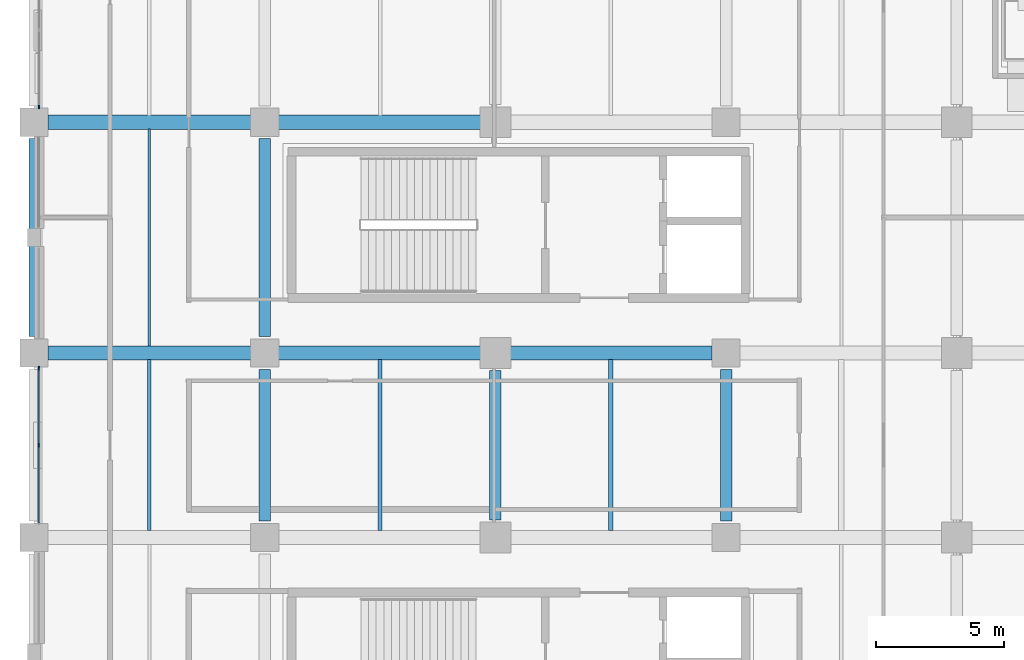
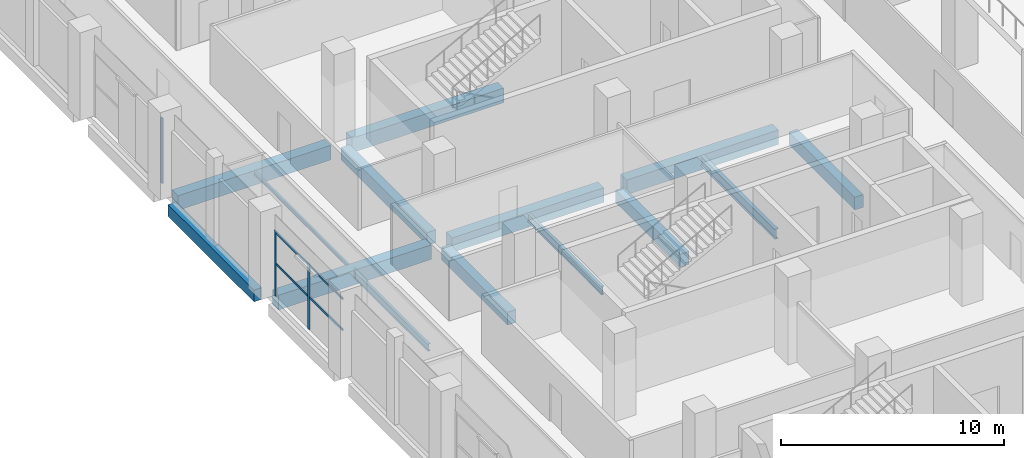
# One storey, part 14 of 100: 14 beams, 5 members, 2 elements without a shape of their own.
"""IFC4 building model written with IfcOpenShell, lengths in metres."""

from ifc_helpers import new_model, si_unit, direction, frame, origin, origin_2d, place, context, subcontext, project, spatial, rectangle, i_section, extrude, material, material_profile, profile_set, type_object, element, aggregate, save


model = new_model("IFC4")

# Units and contexts
model_context = context("Model", 3, precision=1e-05, world=origin(), true_north=direction((0.0, 1.0)))
body_context = subcontext(model_context, "Body", "Model", "MODEL_VIEW")
ifc_project = project(units=[si_unit("LENGTHUNIT", "METRE"), si_unit("AREAUNIT", "SQUARE_METRE"), si_unit("VOLUMEUNIT", "CUBIC_METRE"), si_unit("PLANEANGLEUNIT", "RADIAN"), si_unit("MASSUNIT", "GRAM", prefix="KILO"), si_unit("THERMODYNAMICTEMPERATUREUNIT", "KELVIN"), si_unit("POWERUNIT", "WATT")], contexts=[model_context])

# Site, building, storey
site_placement = place(None, origin())
site = spatial("IfcSite", under=ifc_project, at=site_placement, CompositionType="ELEMENT")
building_placement = place(site_placement, origin())
building = spatial("IfcBuilding", under=site, at=building_placement, Name="Sindhuravela Promenade Stadium", CompositionType="ELEMENT")
storey_placement = place(building_placement, frame((0.0, 0.0, 4.800048828125)))
storey = spatial("IfcBuildingStorey", under=building, at=storey_placement, Name="L01", CompositionType="ELEMENT", Elevation=4.800048828125)

# Curtain wall, members
ifc_material_1 = material(Name="Anodised architectural aluminium 6063-T6", Category="aluminium")
curtain_wall_type_1 = type_object("IfcCurtainWallType", Name="CW-MOD-4", PredefinedType="NOTDEFINED", material=ifc_material_1)
curtain_wall_1_placement = place(storey_placement, origin())
curtain_wall_1 = element("IfcCurtainWall", 1, at=curtain_wall_1_placement, inside=storey, type_object=curtain_wall_type_1, Name="Bronze curtain wall CW-WEST-L01-003", PredefinedType="NOTDEFINED")
ifc_material_profile_1 = material_profile(ifc_material_1, rectangle(XDim=0.06005859375, YDim=0.159912109375, at=origin_2d()), Name="ALU M60x160")
ifc_profile_set_1 = profile_set([ifc_material_profile_1], Name="Anodised architectural aluminium 6063-T6")
member_type_1 = type_object("IfcMemberType", Name="CW-MUL-4", PredefinedType="MULLION", material=ifc_profile_set_1)
member_1_placement = place(storey_placement, frame((0.199951171875, 81.0, 0.0), z_axis=(0.0, 0.0, 1.0), x_axis=(1.0, 0.0, 0.0)))
member_1 = element("IfcMember", 2, at=member_1_placement, type_object=member_type_1, Name="Curtain wall mullion CW-WEST-L01-003-M2", PredefinedType="MULLION", context=body_context, shape_type="SweptSolid", body=[
    extrude(rectangle(XDim=0.06005859375, YDim=0.159912109375, at=origin_2d()), origin(), (0.0, 0.0, 1.0), 3.579833984375),
])
member_2_placement = place(storey_placement, frame((0.199951171875, 84.0, 0.0), z_axis=(0.0, 0.0, 1.0), x_axis=(1.0, 0.0, 0.0)))
member_2 = element("IfcMember", 3, at=member_2_placement, type_object=member_type_1, Name="Curtain wall mullion CW-WEST-L01-003-M3", PredefinedType="MULLION", context=body_context, shape_type="SweptSolid", body=[
    extrude(rectangle(XDim=0.06005859375, YDim=0.159912109375, at=origin_2d()), origin(), (0.0, 0.0, 1.0), 3.579833984375),
])

# Curtain wall, member
curtain_wall_type_2 = type_object("IfcCurtainWallType", Name="CW-MOD-5", PredefinedType="NOTDEFINED", material=ifc_material_1)
curtain_wall_2_placement = place(storey_placement, origin())
curtain_wall_2 = element("IfcCurtainWall", 4, at=curtain_wall_2_placement, inside=storey, type_object=curtain_wall_type_2, Name="Bronze curtain wall CW-WEST-L01-004", PredefinedType="NOTDEFINED")
ifc_material_profile_2 = material_profile(ifc_material_1, rectangle(XDim=0.06005859375, YDim=0.139892578125, at=origin_2d()), Name="ALU M60x140")
ifc_profile_set_2 = profile_set([ifc_material_profile_2], Name="Anodised architectural aluminium 6063-T6")
member_type_2 = type_object("IfcMemberType", Name="CW-MUL-5", PredefinedType="MULLION", material=ifc_profile_set_2)
member_3_placement = place(storey_placement, frame((0.199951171875, 94.199951171875, 0.0), z_axis=(0.0, 0.0, 1.0), x_axis=(1.0, 0.0, 0.0)))
member_3 = element("IfcMember", 5, at=member_3_placement, type_object=member_type_2, Name="Curtain wall mullion CW-WEST-L01-004-M1", PredefinedType="MULLION", context=body_context, shape_type="SweptSolid", body=[
    extrude(rectangle(XDim=0.06005859375, YDim=0.139892578125, at=origin_2d()), origin(), (0.0, 0.0, 1.0), 3.579833984375),
])
aggregate(curtain_wall_2, [member_3])

# Member
ifc_material_profile_3 = material_profile(ifc_material_1, rectangle(XDim=0.06005859375, YDim=0.1201171875, at=origin_2d()), Name="ALU T60x120")
ifc_profile_set_3 = profile_set([ifc_material_profile_3], Name="Anodised architectural aluminium 6063-T6")
member_type_3 = type_object("IfcMemberType", Name="CW-TRN-4", PredefinedType="USERDEFINED", material=ifc_profile_set_3)
member_4_placement = place(storey_placement, frame((0.199951171875, 77.97509765625, 1.7900390625), z_axis=(0.0, 1.0, 0.0), x_axis=(-1.0, 0.0, 0.0)))
member_4 = element("IfcMember", 6, at=member_4_placement, type_object=member_type_3, Name="Curtain wall transom CW-WEST-L01-003-T1", ObjectType="TRANSOM", PredefinedType="USERDEFINED", context=body_context, shape_type="SweptSolid", body=[
    extrude(rectangle(XDim=0.06005859375, YDim=0.1201171875, at=origin_2d()), origin(), (0.0, 0.0, 1.0), 6.0498046875),
])

member_5_placement = place(storey_placement, frame((0.199951171875, 77.97509765625, 3.5), z_axis=(0.0, 1.0, 0.0), x_axis=(-1.0, 0.0, 0.0)))
member_5 = element("IfcMember", 7, at=member_5_placement, type_object=member_type_3, Name="Curtain wall transom CW-WEST-L01-003-T2", ObjectType="TRANSOM", PredefinedType="USERDEFINED", context=body_context, shape_type="SweptSolid", body=[
    extrude(rectangle(XDim=0.06005859375, YDim=0.1201171875, at=origin_2d()), origin(), (0.0, 0.0, 1.0), 6.0498046875),
])

aggregate(curtain_wall_1, [member_1, member_2, member_4, member_5])

# Beams
ifc_material_2 = material(Name="Concrete M40", Category="concrete")
ifc_material_profile_4 = material_profile(ifc_material_2, rectangle(XDim=0.39990234375, YDim=0.64990234375, at=origin_2d()), Name="RC 400x650")
ifc_profile_set_4 = profile_set([ifc_material_profile_4], Name="Concrete M40")
beam_type_1 = type_object("IfcBeamType", Name="RC-BM-400x650", PredefinedType="SPANDREL", material=ifc_profile_set_4)
beam_1_placement = place(storey_placement, frame((0.0, 85.239990234375, -0.625), z_axis=(0.0, 1.0, 0.0), x_axis=(-1.0, 0.0, 0.0)))
element("IfcBeam", 8, at=beam_1_placement, inside=storey, type_object=beam_type_1, Name="Primary beam SP01 WEST L01", PredefinedType="SPANDREL", context=body_context, shape_type="SweptSolid", body=[
    extrude(rectangle(XDim=0.39990234375, YDim=0.64990234375, at=origin_2d()), origin(), (0.0, 0.0, 1.0), 7.719970703125),
])
ifc_material_profile_5 = material_profile(ifc_material_2, rectangle(XDim=0.449951171875, YDim=0.699951171875, at=origin_2d()), Name="RC 450x700")
ifc_profile_set_5 = profile_set([ifc_material_profile_5], Name="Concrete M40")
beam_type_2 = type_object("IfcBeamType", Name="RC-BM-450x700", PredefinedType="BEAM", material=ifc_profile_set_5)
beam_2_placement = place(storey_placement, frame((9.0, 78.0400390625, -0.650146484375), z_axis=(0.0, 1.0, 0.0), x_axis=(-1.0, 0.0, 0.0)))
element("IfcBeam", 9, at=beam_2_placement, inside=storey, type_object=beam_type_2, Name="Primary beam GB07 WEST L01", PredefinedType="BEAM", context=body_context, shape_type="SweptSolid", body=[
    extrude(rectangle(XDim=0.449951171875, YDim=0.699951171875, at=origin_2d()), origin(), (0.0, 0.0, 1.0), 5.919921875),
])
beam_3_placement = place(storey_placement, frame((9.0, 85.239990234375, -0.650146484375), z_axis=(0.0, 1.0, 0.0), x_axis=(-1.0, 0.0, 0.0)))
element("IfcBeam", 10, at=beam_3_placement, inside=storey, type_object=beam_type_2, Name="Primary beam GB07 WEST L01", PredefinedType="BEAM", context=body_context, shape_type="SweptSolid", body=[
    extrude(rectangle(XDim=0.449951171875, YDim=0.699951171875, at=origin_2d()), origin(), (0.0, 0.0, 1.0), 7.719970703125),
])
beam_4_placement = place(storey_placement, frame((18.0, 78.090087890625, -0.650146484375), z_axis=(0.0, 1.0, 0.0), x_axis=(-1.0, 0.0, 0.0)))
element("IfcBeam", 11, at=beam_4_placement, inside=storey, type_object=beam_type_2, Name="Primary beam GB07 WEST L01", PredefinedType="BEAM", context=body_context, shape_type="SweptSolid", body=[
    extrude(rectangle(XDim=0.449951171875, YDim=0.699951171875, at=origin_2d()), origin(), (0.0, 0.0, 1.0), 5.81982421875),
])
beam_5_placement = place(storey_placement, frame((27.0, 78.0400390625, -0.650146484375), z_axis=(0.0, 1.0, 0.0), x_axis=(-1.0, 0.0, 0.0)))
element("IfcBeam", 12, at=beam_5_placement, inside=storey, type_object=beam_type_2, Name="Primary beam GB07 WEST L01", PredefinedType="BEAM", context=body_context, shape_type="SweptSolid", body=[
    extrude(rectangle(XDim=0.449951171875, YDim=0.699951171875, at=origin_2d()), origin(), (0.0, 0.0, 1.0), 5.919921875),
])
ifc_material_profile_6 = material_profile(ifc_material_2, rectangle(XDim=0.550048828125, YDim=0.800048828125, at=origin_2d()), Name="RC 550x800")
ifc_profile_set_6 = profile_set([ifc_material_profile_6], Name="Concrete M40")
beam_type_3 = type_object("IfcBeamType", Name="RC-BM-550x800", PredefinedType="BEAM", material=ifc_profile_set_6)
beam_6_placement = place(storey_placement, frame((0.5400390625, 84.60009765625, -0.699951171875), z_axis=(1.0, 0.0, 0.0), x_axis=(0.0, 1.0, 0.0)))
element("IfcBeam", 13, at=beam_6_placement, inside=storey, type_object=beam_type_3, Name="Primary girder GB05 WEST L01", PredefinedType="BEAM", context=body_context, shape_type="SweptSolid", body=[
    extrude(rectangle(XDim=0.550048828125, YDim=0.800048828125, at=origin_2d()), origin(), (0.0, 0.0, 1.0), 7.919921875),
])
for number, where, z_axis, x_axis, name in (
    (14, (9.5400390625, 84.60009765625, -0.699951171875), (1.0, 0.0, 0.0), (0.0, 1.0, 0.0), "Primary girder GB05 WEST L01"),
    (15, (18.590087890625, 84.60009765625, -0.699951171875), (1.0, 0.0, 0.0), (0.0, 1.0, 0.0), "Primary girder GB05 WEST L01"),
):
    element("IfcBeam", number, at=place(storey_placement, frame(where, z_axis=z_axis, x_axis=x_axis)), inside=storey, type_object=beam_type_3, Name=name, PredefinedType="BEAM", context=body_context, shape_type="SweptSolid", body=[
        extrude(rectangle(XDim=0.550048828125, YDim=0.800048828125, at=origin_2d()), origin(), (0.0, 0.0, 1.0), 7.869873046875),
    ])
beam_7_placement = place(storey_placement, frame((0.5400390625, 93.60009765625, -0.699951171875), z_axis=(1.0, 0.0, 0.0), x_axis=(0.0, 1.0, 0.0)))
element("IfcBeam", 16, at=beam_7_placement, inside=storey, type_object=beam_type_3, Name="Primary girder GB05 WEST L01", PredefinedType="BEAM", context=body_context, shape_type="SweptSolid", body=[
    extrude(rectangle(XDim=0.550048828125, YDim=0.800048828125, at=origin_2d()), origin(), (0.0, 0.0, 1.0), 7.919921875),
])
beam_8_placement = place(storey_placement, frame((9.5400390625, 93.60009765625, -0.699951171875), z_axis=(1.0, 0.0, 0.0), x_axis=(0.0, 1.0, 0.0)))
element("IfcBeam", 17, at=beam_8_placement, inside=storey, type_object=beam_type_3, Name="Primary girder GB05 WEST L01", PredefinedType="BEAM", context=body_context, shape_type="SweptSolid", body=[
    extrude(rectangle(XDim=0.550048828125, YDim=0.800048828125, at=origin_2d()), origin(), (0.0, 0.0, 1.0), 7.869873046875),
])
ifc_material_3 = material(Name="Steel E350 (IS 2062 E350BR)", Category="steel")
ifc_material_profile_7 = material_profile(ifc_material_3, i_section(OverallWidth=0.10009765625, OverallDepth=0.199951171875, WebThickness=0.005615234375, FlangeThickness=0.0107421875, FilletRadius=0.010986328125, at=origin_2d()), Name="ISMB 200")
ifc_profile_set_7 = profile_set([ifc_material_profile_7], Name="Steel E350 (IS 2062 E350BR)")
beam_type_4 = type_object("IfcBeamType", Name="ST-BM-MB200", PredefinedType="JOIST", material=ifc_profile_set_7)
beam_9_placement = place(storey_placement, frame((4.5, 84.864990234375, -0.400146484375), z_axis=(0.0, 1.0, 0.0), x_axis=(-1.0, 0.0, 0.0)))
element("IfcBeam", 18, at=beam_9_placement, inside=storey, type_object=beam_type_4, Name="Secondary floor joist SB01 WEST L01", PredefinedType="JOIST", context=body_context, shape_type="SweptSolid", body=[
    extrude(i_section(OverallWidth=0.10009765625, OverallDepth=0.199951171875, WebThickness=0.005615234375, FlangeThickness=0.0107421875, FilletRadius=0.010986328125, at=origin_2d()), origin(), (0.0, 0.0, 1.0), 8.469970703125),
])
ifc_material_profile_8 = material_profile(ifc_material_3, i_section(OverallWidth=0.139892578125, OverallDepth=0.39990234375, WebThickness=0.0087890625, FlangeThickness=0.01611328125, FilletRadius=0.013916015625, at=origin_2d()), Name="ISMB 400")
ifc_profile_set_8 = profile_set([ifc_material_profile_8], Name="Steel E350 (IS 2062 E350BR)")
beam_type_5 = type_object("IfcBeamType", Name="ST-BM-MB400", PredefinedType="BEAM", material=ifc_profile_set_8)
beam_10_placement = place(storey_placement, frame((4.5, 77.6650390625, -0.5), z_axis=(0.0, 1.0, 0.0), x_axis=(-1.0, 0.0, 0.0)))
element("IfcBeam", 19, at=beam_10_placement, inside=storey, type_object=beam_type_5, Name="Secondary floor joist SB05 WEST L01", PredefinedType="BEAM", context=body_context, shape_type="SweptSolid", body=[
    extrude(i_section(OverallWidth=0.139892578125, OverallDepth=0.39990234375, WebThickness=0.0087890625, FlangeThickness=0.01611328125, FilletRadius=0.013916015625, at=origin_2d()), origin(), (0.0, 0.0, 1.0), 6.669921875),
])
ifc_material_profile_9 = material_profile(ifc_material_3, i_section(OverallWidth=0.14990234375, OverallDepth=0.449951171875, WebThickness=0.009521484375, FlangeThickness=0.017333984375, FilletRadius=0.014892578125, at=origin_2d()), Name="ISMB 450")
ifc_profile_set_9 = profile_set([ifc_material_profile_9], Name="Steel E350 (IS 2062 E350BR)")
beam_type_6 = type_object("IfcBeamType", Name="ST-BM-MB450", PredefinedType="BEAM", material=ifc_profile_set_9)
beam_11_placement = place(storey_placement, frame((13.5, 77.6650390625, -0.525146484375), z_axis=(0.0, 1.0, 0.0), x_axis=(-1.0, 0.0, 0.0)))
element("IfcBeam", 20, at=beam_11_placement, inside=storey, type_object=beam_type_6, Name="Secondary floor joist SB06 WEST L01", PredefinedType="BEAM", context=body_context, shape_type="SweptSolid", body=[
    extrude(i_section(OverallWidth=0.14990234375, OverallDepth=0.449951171875, WebThickness=0.009521484375, FlangeThickness=0.017333984375, FilletRadius=0.014892578125, at=origin_2d()), origin(), (0.0, 0.0, 1.0), 6.669921875),
])
ifc_material_profile_10 = material_profile(ifc_material_3, i_section(OverallWidth=0.18994140625, OverallDepth=0.550048828125, WebThickness=0.01123046875, FlangeThickness=0.019287109375, FilletRadius=0.01806640625, at=origin_2d()), Name="ISMB 550")
ifc_profile_set_10 = profile_set([ifc_material_profile_10], Name="Steel E350 (IS 2062 E350BR)")
beam_type_7 = type_object("IfcBeamType", Name="ST-BM-MB550", PredefinedType="SPANDREL", material=ifc_profile_set_10)
beam_12_placement = place(storey_placement, frame((22.5, 77.6650390625, -0.574951171875), z_axis=(0.0, 1.0, 0.0), x_axis=(-1.0, 0.0, 0.0)))
element("IfcBeam", 21, at=beam_12_placement, inside=storey, type_object=beam_type_7, Name="Secondary floor joist SB08 WEST L01", PredefinedType="SPANDREL", context=body_context, shape_type="SweptSolid", body=[
    extrude(i_section(OverallWidth=0.18994140625, OverallDepth=0.550048828125, WebThickness=0.01123046875, FlangeThickness=0.019287109375, FilletRadius=0.01806640625, at=origin_2d()), origin(), (0.0, 0.0, 1.0), 6.669921875),
])

save(model, "model.ifc")
